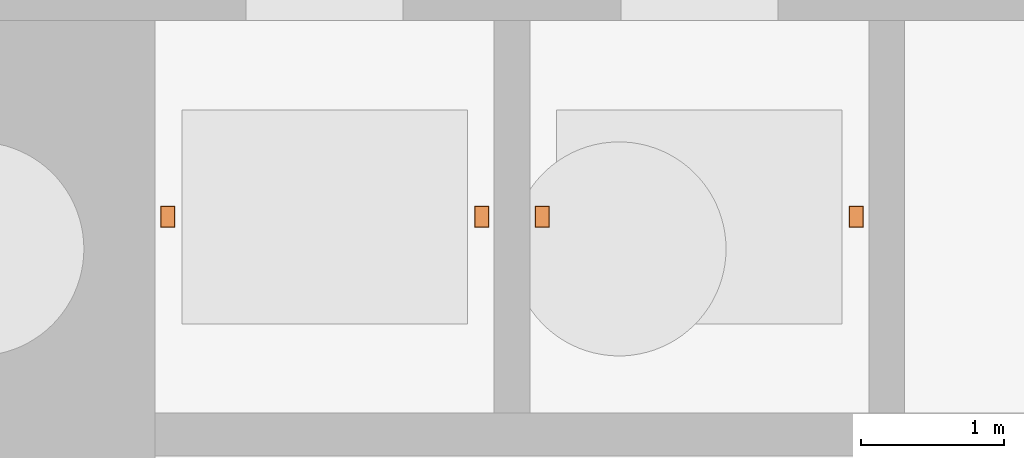
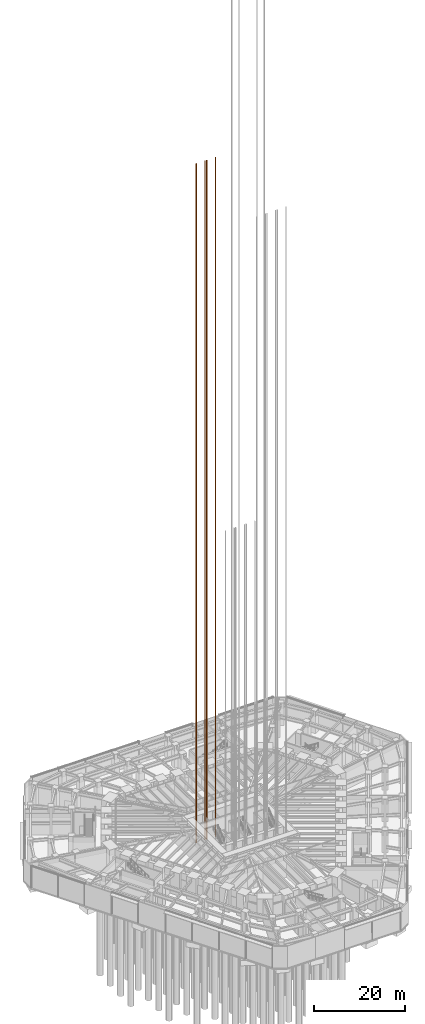
# One storey, part 34 of 34: 2 proxies.
"""IFC4 building model written with IfcOpenShell, lengths in metres."""

from ifc_helpers import new_model, si_unit, direction, frame, origin, origin_2d, place, context, subcontext, project, spatial, rectangle, extrude, material, type_object, element, save


model = new_model("IFC4")

# Units and contexts
model_context = context("Model", 3, precision=1e-05, world=origin(), true_north=direction((0.0, 1.0)))
body_context = subcontext(model_context, "Body", "Model", "MODEL_VIEW")
ifc_project = project(units=[si_unit("LENGTHUNIT", "METRE"), si_unit("AREAUNIT", "SQUARE_METRE"), si_unit("VOLUMEUNIT", "CUBIC_METRE"), si_unit("PLANEANGLEUNIT", "RADIAN"), si_unit("MASSUNIT", "GRAM", prefix="KILO")], contexts=[model_context])

# Site, building, storey
site_placement = place(None, origin())
site = spatial("IfcSite", under=ifc_project, at=site_placement, CompositionType="ELEMENT")
building_placement = place(site_placement, origin())
building = spatial("IfcBuilding", under=site, at=building_placement, Name="Sandreach Pilgrim Tower", CompositionType="ELEMENT")
storey_placement = place(building_placement, origin())
storey = spatial("IfcBuildingStorey", under=building, at=storey_placement, Name="L00", CompositionType="ELEMENT", Elevation=0.0)

# Proxies
ifc_material = material(Name="Steel guide rail", Category="steel")
building_element_proxy_type = type_object("IfcBuildingElementProxyType", Name="Lift guide rails", PredefinedType="NOTDEFINED", material=ifc_material)
for number, where, z_axis, x_axis, name in (
    (1, (-6.5625, 4.72509765625, 0.0), (0.0, 0.0, 1.0), (1.0, 0.0, 0.0), "Guide rails SH1"),
    (2, (-3.9375, 4.72509765625, 0.0), (0.0, 0.0, 1.0), (1.0, 0.0, 0.0), "Guide rails SH2"),
):
    element("IfcBuildingElementProxy", number, at=place(storey_placement, frame(where, z_axis=z_axis, x_axis=x_axis)), inside=storey, type_object=building_element_proxy_type, Name=name, PredefinedType="NOTDEFINED", context=body_context, shape_type="SweptSolid", body=[
        extrude(rectangle(XDim=0.10009765625, YDim=0.14990234375, at=origin_2d()), frame((-1.10009765625, 0.0, 0.0)), (0.0, 0.0, 1.0), 181.800048828125),
        extrude(rectangle(XDim=0.10009765625, YDim=0.14990234375, at=origin_2d()), frame((1.10009765625, 0.0, 0.0)), (0.0, 0.0, 1.0), 181.800048828125),
    ])

save(model, "model.ifc")
